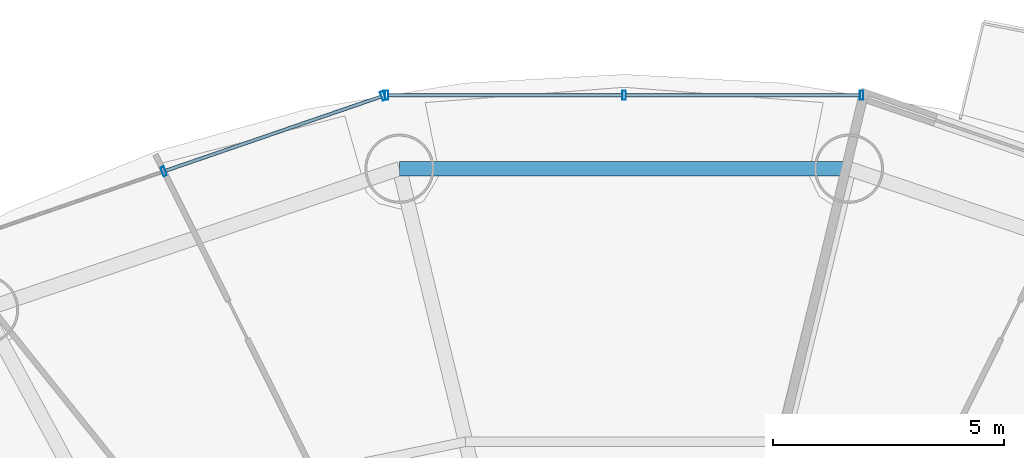
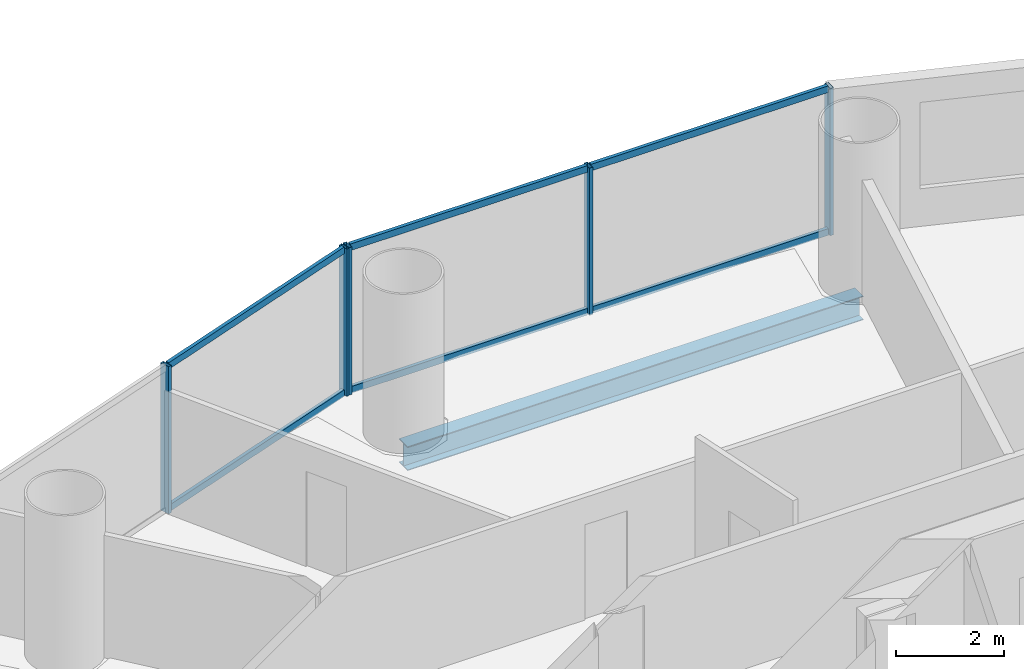
# One storey, part 17 of 28: 11 members, 1 beam, 2 elements without a shape of their own.
"""IFC4 building model written with IfcOpenShell, lengths in metres."""

from ifc_helpers import new_model, si_unit, direction, frame, origin, origin_2d, place, context, subcontext, project, spatial, hollow_rectangle, i_section, extrude, source, transform, mapped, material, material_profile, profile_set, type_object, element, aggregate, save


model = new_model("IFC4")

# Units and contexts
model_context = context("Model", 3, precision=1e-05, world=origin(), true_north=direction((-0.2419218956, 0.970295726276)))
body_context = subcontext(model_context, "Body", "Model", "MODEL_VIEW")
ifc_project = project(units=[si_unit("LENGTHUNIT", "METRE"), si_unit("AREAUNIT", "SQUARE_METRE"), si_unit("VOLUMEUNIT", "CUBIC_METRE"), si_unit("PLANEANGLEUNIT", "RADIAN"), si_unit("MASSUNIT", "GRAM", prefix="KILO")], contexts=[model_context])

# Site, building, storey
site_placement = place(None, origin())
site = spatial("IfcSite", under=ifc_project, at=site_placement, CompositionType="ELEMENT")
building_placement = place(site_placement, origin())
building = spatial("IfcBuilding", under=site, at=building_placement, Name="Cobrevalo Terracotta Tower", CompositionType="ELEMENT")
storey_placement = place(building_placement, frame((0.0, 0.0, 108.60009765625)))
storey = spatial("IfcBuildingStorey", under=building, at=storey_placement, Name="L28", CompositionType="ELEMENT", Elevation=108.60009765625)

# Beam
ifc_material_1 = material(Name="Steel S355", Category="steel")
ifc_material_profile_1 = material_profile(ifc_material_1, i_section(OverallWidth=0.31201171875, OverallDepth=0.54296875, WebThickness=0.0126953125, FlangeThickness=0.020263671875, at=origin_2d()), Name="W 530x150")
ifc_profile_set_1 = profile_set([ifc_material_profile_1], Name="Steel S355")
beam_type = type_object("IfcBeamType", Name="Structural Spandrel W 530x150 (Steel S355)", PredefinedType="SPANDREL", material=ifc_profile_set_1)
beam_placement = place(storey_placement, frame((42.867431640625, 46.857177734375, -0.546630859375), z_axis=(-1.0, 0.0, 0.0), x_axis=(0.0, -1.0, 0.0)))
element("IfcBeam", 1, at=beam_placement, inside=storey, type_object=beam_type, Name="L28 perimeter ring spandrel 04", PredefinedType="SPANDREL", context=body_context, shape_type="SweptSolid", body=[
    extrude(i_section(OverallWidth=0.31201171875, OverallDepth=0.54296875, WebThickness=0.0126953125, FlangeThickness=0.020263671875, at=origin_2d()), origin(), (0.0, 0.0, 1.0), 9.73486328125),
])

# Curtain wall, members
ifc_material_2 = material(Name="Anodized aluminium", Category="aluminium")
curtain_wall_type = type_object("IfcCurtainWallType", Name="Lower-tower unitised acoustic low-E curtain wall CW-U1", PredefinedType="NOTDEFINED", material=ifc_material_2)
curtain_wall_1_placement = place(storey_placement, origin())
curtain_wall_1 = element("IfcCurtainWall", 2, at=curtain_wall_1_placement, inside=storey, type_object=curtain_wall_type, Name="L28 curtain wall CW-L28-S04", PredefinedType="NOTDEFINED")
ifc_material_profile_2 = material_profile(ifc_material_2, hollow_rectangle(XDim=0.074951171875, YDim=0.199951171875, WallThickness=0.0048828125, at=origin_2d()), Name="CWM 75x200")
ifc_profile_set_2 = profile_set([ifc_material_profile_2], Name="Anodized aluminium")
member_type_1 = type_object("IfcMemberType", Name="Lower/mid tower unitised mullion 75x200", PredefinedType="MULLION", material=ifc_profile_set_2)
shared_shape_1 = source(origin(), body_context, "Body", "SweptSolid", [
    extrude(hollow_rectangle(XDim=0.074951171875, YDim=0.199951171875, WallThickness=0.0048828125, at=origin_2d()), origin(), (0.0, 0.0, 1.0), 3.324951171875),
])
member_1_placement = place(storey_placement, frame((43.1435546875, 48.446044921875, 0.0), z_axis=(0.0, 0.0, 1.0), x_axis=(-1.0, 0.0, 0.0)))
member_1 = element("IfcMember", 3, at=member_1_placement, type_object=member_type_1, Name="CW-L28-S04 vertical mullion 01", PredefinedType="MULLION", context=body_context, shape_type="MappedRepresentation", body=[
    mapped(shared_shape_1, transform((0.0, 0.0, 0.0), scale=1.0)),
])
member_2_placement = place(storey_placement, frame((38.0, 48.446044921875, 0.0), z_axis=(0.0, 0.0, 1.0), x_axis=(-1.0, 0.0, 0.0)))
member_2 = element("IfcMember", 4, at=member_2_placement, type_object=member_type_1, Name="CW-L28-S04 vertical mullion 02", PredefinedType="MULLION", context=body_context, shape_type="MappedRepresentation", body=[
    mapped(shared_shape_1, transform((0.0, 0.0, 0.0), scale=1.0)),
])
member_3_placement = place(storey_placement, frame((32.8564453125, 48.446044921875, 0.0), z_axis=(0.0, 0.0, 1.0), x_axis=(-1.0, 0.0, 0.0)))
member_3 = element("IfcMember", 5, at=member_3_placement, type_object=member_type_1, Name="CW-L28-S04 vertical mullion 03", PredefinedType="MULLION", context=body_context, shape_type="MappedRepresentation", body=[
    mapped(shared_shape_1, transform((0.0, 0.0, 0.0), scale=1.0)),
])

curtain_wall_2_placement = place(storey_placement, origin())
curtain_wall_2 = element("IfcCurtainWall", 6, at=curtain_wall_2_placement, inside=storey, type_object=curtain_wall_type, Name="L28 curtain wall CW-L28-S05", PredefinedType="NOTDEFINED")
member_4_placement = place(storey_placement, frame((32.778564453125, 48.432861328125, 0.0), z_axis=(0.0, 0.0, 1.0), x_axis=(-0.94559809868, -0.325337110968, 0.0)))
member_4 = element("IfcMember", 7, at=member_4_placement, type_object=member_type_1, Name="CW-L28-S05 vertical mullion 01", PredefinedType="MULLION", context=body_context, shape_type="MappedRepresentation", body=[
    mapped(shared_shape_1, transform((0.0, 0.0, 0.0), scale=1.0)),
])
member_5_placement = place(storey_placement, frame((28.027587890625, 46.79833984375, 0.0), z_axis=(0.0, 0.0, 1.0), x_axis=(-0.94559809868, -0.325337110968, 0.0)))
member_5 = element("IfcMember", 8, at=member_5_placement, type_object=member_type_1, Name="CW-L28-S05 vertical mullion 02", PredefinedType="MULLION", context=body_context, shape_type="MappedRepresentation", body=[
    mapped(shared_shape_1, transform((0.0, 0.0, 0.0), scale=1.0)),
])
ifc_material_profile_3 = material_profile(ifc_material_2, hollow_rectangle(XDim=0.074951171875, YDim=0.14990234375, WallThickness=0.00439453125, at=origin_2d()), Name="CWT 75x150")
ifc_profile_set_3 = profile_set([ifc_material_profile_3], Name="Anodized aluminium")
member_type_2 = type_object("IfcMemberType", Name="Tower unitised aluminium transom 75x150", PredefinedType="USERDEFINED", material=ifc_profile_set_3)
shared_shape_2 = source(origin(), body_context, "Body", "SweptSolid", [
    extrude(hollow_rectangle(XDim=0.074951171875, YDim=0.14990234375, WallThickness=0.00439453125, at=origin_2d()), origin(), (0.0, 0.0, 1.0), 4.944580078125),
])
member_6_placement = place(storey_placement, frame((32.74072265625, 48.419921875, 0.0498046875), z_axis=(-0.945597859971, -0.32533780478, 0.0), x_axis=(0.32533780478, -0.945597859971, 0.0)))
member_6 = element("IfcMember", 9, at=member_6_placement, type_object=member_type_2, Name="CW-L28-S05 transom B01-T1", ObjectType="TRANSOM", PredefinedType="USERDEFINED", context=body_context, shape_type="MappedRepresentation", body=[
    mapped(shared_shape_2, transform((0.0, 0.0, 0.0), scale=1.0)),
])
member_7_placement = place(storey_placement, frame((32.74072265625, 48.419921875, 3.27490234375), z_axis=(-0.945597859971, -0.32533780478, 0.0), x_axis=(0.32533780478, -0.945597859971, 0.0)))
member_7 = element("IfcMember", 10, at=member_7_placement, type_object=member_type_2, Name="CW-L28-S05 transom B01-T2", ObjectType="TRANSOM", PredefinedType="USERDEFINED", context=body_context, shape_type="MappedRepresentation", body=[
    mapped(shared_shape_2, transform((0.0, 0.0, 0.0), scale=1.0)),
])
aggregate(curtain_wall_2, [member_4, member_5, member_6, member_7])

# Member
shared_shape_3 = source(origin(), body_context, "Body", "SweptSolid", [
    extrude(hollow_rectangle(XDim=0.074951171875, YDim=0.14990234375, WallThickness=0.00439453125, at=origin_2d()), origin(), (0.0, 0.0, 1.0), 5.0634765625),
])
member_8_placement = place(storey_placement, frame((43.103515625, 48.446044921875, 0.0498046875), z_axis=(-1.0, 0.0, 0.0), x_axis=(0.0, -1.0, 0.0)))
member_8 = element("IfcMember", 11, at=member_8_placement, type_object=member_type_2, Name="CW-L28-S04 transom B01-T1", ObjectType="TRANSOM", PredefinedType="USERDEFINED", context=body_context, shape_type="MappedRepresentation", body=[
    mapped(shared_shape_3, transform((0.0, 0.0, 0.0), scale=1.0)),
])

member_9_placement = place(storey_placement, frame((43.103515625, 48.446044921875, 3.27490234375), z_axis=(-1.0, 0.0, 0.0), x_axis=(0.0, -1.0, 0.0)))
member_9 = element("IfcMember", 12, at=member_9_placement, type_object=member_type_2, Name="CW-L28-S04 transom B01-T2", ObjectType="TRANSOM", PredefinedType="USERDEFINED", context=body_context, shape_type="MappedRepresentation", body=[
    mapped(shared_shape_3, transform((0.0, 0.0, 0.0), scale=1.0)),
])

member_10_placement = place(storey_placement, frame((37.9599609375, 48.446044921875, 0.0498046875), z_axis=(-1.0, 0.0, 0.0), x_axis=(0.0, -1.0, 0.0)))
member_10 = element("IfcMember", 13, at=member_10_placement, type_object=member_type_2, Name="CW-L28-S04 transom B02-T1", ObjectType="TRANSOM", PredefinedType="USERDEFINED", context=body_context, shape_type="MappedRepresentation", body=[
    mapped(shared_shape_3, transform((0.0, 0.0, 0.0), scale=1.0)),
])

member_11_placement = place(storey_placement, frame((37.9599609375, 48.446044921875, 3.27490234375), z_axis=(-1.0, 0.0, 0.0), x_axis=(0.0, -1.0, 0.0)))
member_11 = element("IfcMember", 14, at=member_11_placement, type_object=member_type_2, Name="CW-L28-S04 transom B02-T2", ObjectType="TRANSOM", PredefinedType="USERDEFINED", context=body_context, shape_type="MappedRepresentation", body=[
    mapped(shared_shape_3, transform((0.0, 0.0, 0.0), scale=1.0)),
])

aggregate(curtain_wall_1, [member_1, member_2, member_3, member_8, member_9, member_10, member_11])

save(model, "model.ifc")
